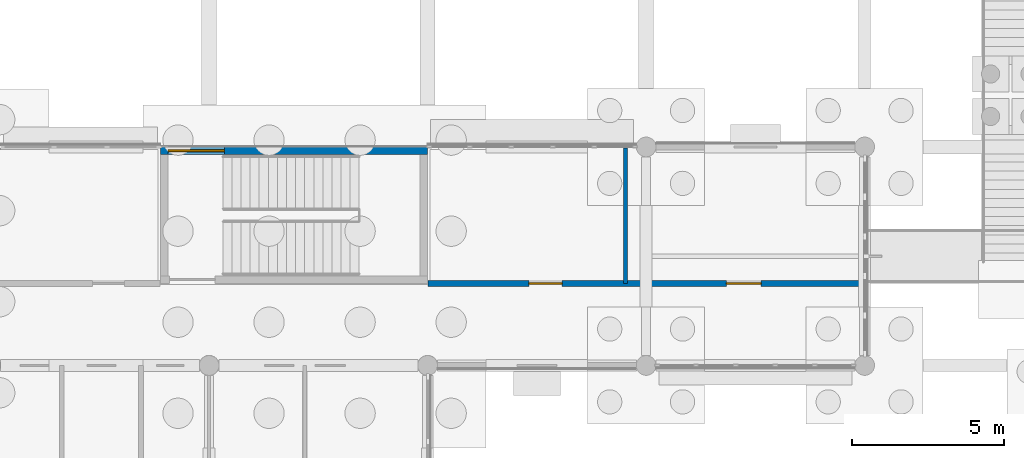
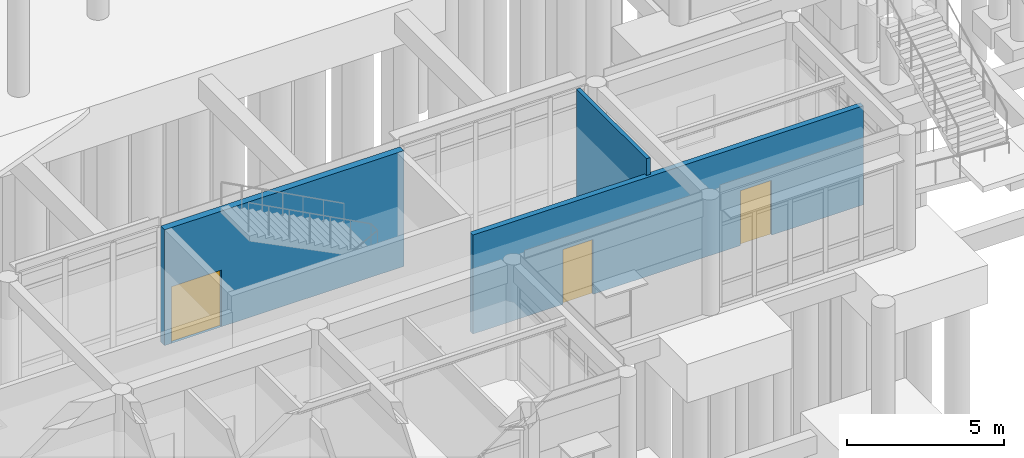
# One storey, part 56 of 103: 3 doors, 3 walls, 3 openings.
"""IFC4 building model written with IfcOpenShell, lengths in metres."""

from ifc_helpers import new_model, si_unit, direction, frame, frame_2d, origin, place, context, subcontext, project, spatial, rectangle, extrude, material, layer, layer_set, type_object, element, fill, save


model = new_model("IFC4")

# Units and contexts
model_context = context("Model", 3, precision=1e-05, world=origin(), true_north=direction((0.0, 1.0)))
body_context = subcontext(model_context, "Body", "Model", "MODEL_VIEW")
ifc_project = project(units=[si_unit("LENGTHUNIT", "METRE"), si_unit("AREAUNIT", "SQUARE_METRE"), si_unit("VOLUMEUNIT", "CUBIC_METRE"), si_unit("PLANEANGLEUNIT", "RADIAN"), si_unit("MASSUNIT", "GRAM", prefix="KILO")], contexts=[model_context])

# Site, building, storey
site_placement = place(None, origin())
site = spatial("IfcSite", under=ifc_project, at=site_placement, CompositionType="ELEMENT")
building_placement = place(site_placement, origin())
building = spatial("IfcBuilding", under=site, at=building_placement, Name="Namkhue Oval Health Centre", CompositionType="ELEMENT")
storey_placement = place(building_placement, origin())
storey = spatial("IfcBuildingStorey", under=building, at=storey_placement, Name="L00", CompositionType="ELEMENT", Elevation=0.0)

# Wall, openings, doors
ifc_material_1 = material(Name="Gypsum plasterboard acoustic partition", Category="gypsum")
ifc_layer_1 = layer(ifc_material_1, 0.205078125)
ifc_layer_set_1 = layer_set([ifc_layer_1], Name="Gypsum plasterboard acoustic partition")
wall_type_1 = type_object("IfcWallType", Name="FIRE PARTITION WALL 205", PredefinedType="PARTITIONING", material=ifc_layer_set_1)
wall_1_placement = place(storey_placement, frame((122.419921875, 24.300048828125, 0.0), z_axis=(0.0, 0.0, 1.0), x_axis=(1.0, 0.0, 0.0)))
wall_1 = element("IfcWall", 1, at=wall_1_placement, inside=storey, type_object=wall_type_1, Name="Volume V5 L00 Clinical Partition Wall 214", PredefinedType="PARTITIONING", context=body_context, shape_type="SweptSolid", body=[
    extrude(rectangle(XDim=14.340087890625, YDim=0.205078125, at=frame_2d((7.169921875, 0.0))), origin(), (0.0, 0.0, 1.0), 3.844970703125),
])
opening_1_placement = place(wall_1_placement, frame((3.31201171875, 0.0, 0.0)))
opening_1 = element("IfcOpeningElement", 2, at=opening_1_placement, cuts=wall_1, Name="Opening CD-11", PredefinedType="OPENING", context=body_context, shape_type="SweptSolid", body=[
    extrude(rectangle(XDim=1.10009765625, YDim=2.1298828125, at=frame_2d((0.550048828125, 1.06494140625))), frame((0.0, 0.112548828125, 0.0), z_axis=(0.0, -1.0, 0.0), x_axis=(1.0, 0.0, 0.0)), (0.0, 0.0, 1.0), 0.22509765625),
])
opening_2_placement = place(wall_1_placement, frame((9.822021484375, 0.0, 0.0)))
opening_2 = element("IfcOpeningElement", 3, at=opening_2_placement, cuts=wall_1, Name="Opening CD-12", PredefinedType="OPENING", context=body_context, shape_type="SweptSolid", body=[
    extrude(rectangle(XDim=1.14990234375, YDim=2.1298828125, at=frame_2d((0.574951171875, 1.06494140625))), frame((0.0, 0.112548828125, 0.0), z_axis=(0.0, -1.0, 0.0), x_axis=(1.0, 0.0, 0.0)), (0.0, 0.0, 1.0), 0.22509765625),
])
ifc_material_2 = material(Name="High-pressure laminate timber clinical door", Category="wood")
door_type_1 = type_object("IfcDoorType", Name="CLINICAL DOOR 1100X2130", OperationType="NOTDEFINED", PredefinedType="DOOR", material=ifc_material_2)
door_1_placement = place(opening_1_placement, origin())
door_1 = element("IfcDoor", 4, at=door_1_placement, inside=storey, type_object=door_type_1, Name="Volume V5 L00 Periodontics Hygiene Room Door 185", OperationType="SINGLE_SWING_LEFT", OverallHeight=2.1298828125, OverallWidth=1.10009765625, PredefinedType="DOOR", context=body_context, shape_type="SweptSolid", body=[
    extrude(rectangle(XDim=1.10009765625, YDim=2.1298828125, at=frame_2d((0.550048828125, 1.06494140625))), frame((0.0, 0.02490234375, 0.0), z_axis=(0.0, -1.0, 0.0), x_axis=(1.0, 0.0, 0.0)), (0.0, 0.0, 1.0), 0.050048828125),
])
fill(opening_1, door_1)
door_type_2 = type_object("IfcDoorType", Name="CLINICAL DOOR 1150X2130", OperationType="NOTDEFINED", PredefinedType="DOOR", material=ifc_material_2)
door_2_placement = place(opening_2_placement, origin())
door_2 = element("IfcDoor", 5, at=door_2_placement, inside=storey, type_object=door_type_2, Name="Volume V5 L00 Dental Treatment Planning Clinic Door 186", OperationType="SINGLE_SWING_RIGHT", OverallHeight=2.1298828125, OverallWidth=1.14990234375, PredefinedType="DOOR", context=body_context, shape_type="SweptSolid", body=[
    extrude(rectangle(XDim=1.14990234375, YDim=2.1298828125, at=frame_2d((0.574951171875, 1.06494140625))), frame((0.0, 0.02490234375, 0.0), z_axis=(0.0, -1.0, 0.0), x_axis=(1.0, 0.0, 0.0)), (0.0, 0.0, 1.0), 0.050048828125),
])
fill(opening_2, door_2)

# Wall
ifc_layer_2 = layer(ifc_material_1, 0.139892578125)
ifc_layer_set_2 = layer_set([ifc_layer_2], Name="Gypsum plasterboard acoustic partition")
wall_type_2 = type_object("IfcWallType", Name="INTERIOR PARTITION WALL 140", PredefinedType="PARTITIONING", material=ifc_layer_set_2)
wall_2_placement = place(storey_placement, frame((128.919921875, 24.300048828125, 0.0), z_axis=(0.0, 0.0, 1.0), x_axis=(0.0, 1.0, 0.0)))
element("IfcWall", 6, at=wall_2_placement, inside=storey, type_object=wall_type_2, Name="Volume V5 L00 Clinical Partition Wall 215", PredefinedType="PARTITIONING", context=body_context, shape_type="SweptSolid", body=[
    extrude(rectangle(XDim=4.4599609375, YDim=0.139892578125, at=frame_2d((2.22998046875, 0.0))), origin(), (0.0, 0.0, 1.0), 4.4951171875),
])

# Wall, opening, door
ifc_material_3 = material(Name="Reinforced concrete C35/45 (TCVN B40)", Category="concrete")
ifc_layer_3 = layer(ifc_material_3, 0.25)
ifc_layer_set_3 = layer_set([ifc_layer_3], Name="Reinforced concrete C35/45 (TCVN B40)")
wall_type_3 = type_object("IfcWallType", Name="SHEAR CORE WALL EXT 250", PredefinedType="SHEAR", material=ifc_layer_set_3)
wall_3_placement = place(storey_placement, frame((122.39990234375, 28.675048828125, 0.0), z_axis=(0.0, 0.0, 1.0), x_axis=(-1.0, 0.0, 0.0)))
wall_3 = element("IfcWall", 7, at=wall_3_placement, inside=storey, type_object=wall_type_3, Name="Core SC-10 L00 Shear Wall N", PredefinedType="SHEAR", context=body_context, shape_type="SweptSolid", body=[
    extrude(rectangle(XDim=8.7998046875, YDim=0.25, at=frame_2d((4.39990234375, 0.0))), origin(), (0.0, 0.0, 1.0), 4.4951171875),
])
opening_3_placement = place(wall_3_placement, frame((6.699951171875, 0.0, 0.0)))
opening_3 = element("IfcOpeningElement", 8, at=opening_3_placement, cuts=wall_3, Name="Opening SD-E1", PredefinedType="OPENING", context=body_context, shape_type="SweptSolid", body=[
    extrude(rectangle(XDim=1.85009765625, YDim=2.199951171875, at=frame_2d((0.925048828125, 1.10009765625))), frame((0.0, 0.135009765625, 0.0), z_axis=(0.0, -1.0, 0.0), x_axis=(1.0, 0.0, 0.0)), (0.0, 0.0, 1.0), 0.27001953125),
])
ifc_material_4 = material(Name="Powder-coated steel fire door assembly", Category="steel")
door_type_3 = type_object("IfcDoorType", Name="ENTRANCE DOOR STAIR EXIT 1850X2200", OperationType="DOUBLE_DOOR_SINGLE_SWING", PredefinedType="DOOR", material=ifc_material_4)
door_3_placement = place(opening_3_placement, frame((1.85009765625, 0.0, 0.0), z_axis=(0.0, 0.0, 1.0), x_axis=(-1.0, 0.0, 0.0)))
door_3 = element("IfcDoor", 9, at=door_3_placement, inside=storey, type_object=door_type_3, Name="Stair ST-10 Ground Final Exit Discharge Door", OperationType="DOUBLE_DOOR_SINGLE_SWING", OverallHeight=2.199951171875, OverallWidth=1.85009765625, PredefinedType="DOOR", context=body_context, shape_type="SweptSolid", body=[
    extrude(rectangle(XDim=1.85009765625, YDim=2.199951171875, at=frame_2d((0.925048828125, 1.10009765625))), frame((0.0, 0.02490234375, 0.0), z_axis=(0.0, -1.0, 0.0), x_axis=(1.0, 0.0, 0.0)), (0.0, 0.0, 1.0), 0.050048828125),
])
fill(opening_3, door_3)

save(model, "model.ifc")
